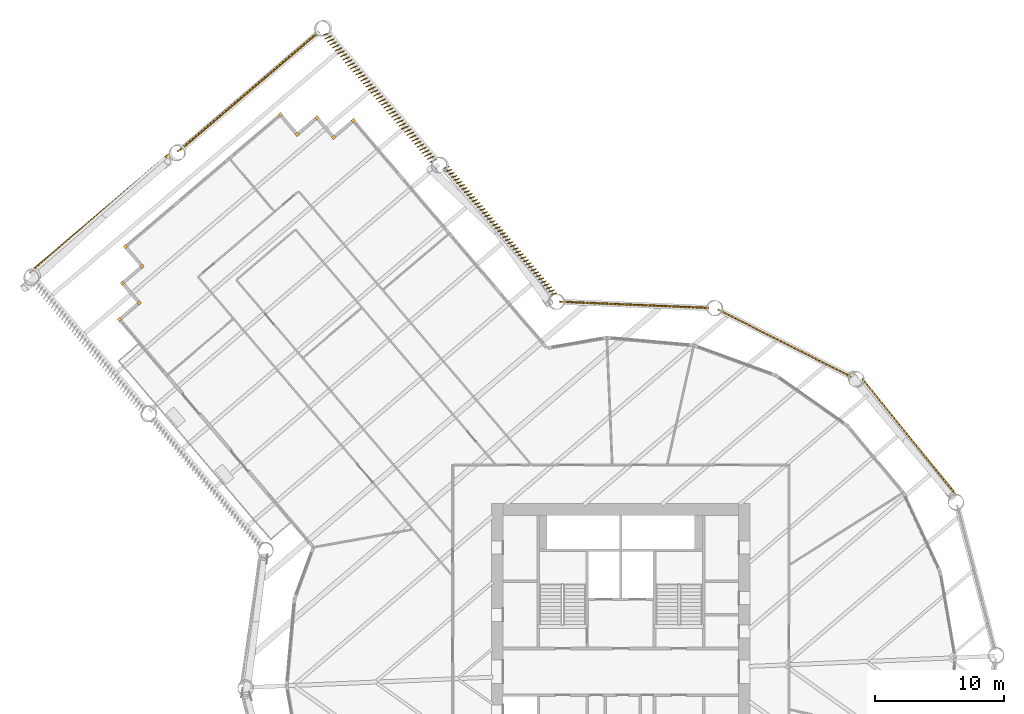
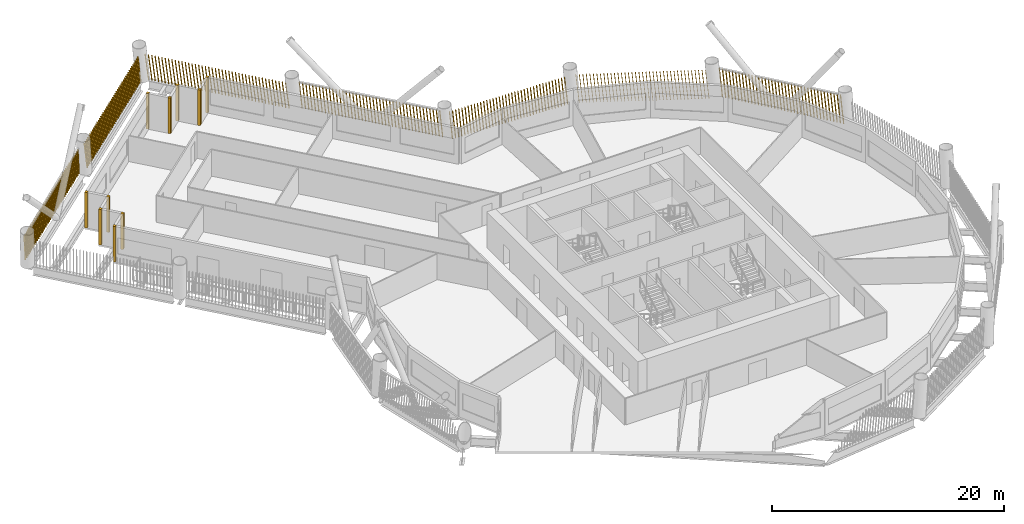
# One storey, part 20 of 21: 17 shading devices.
"""IFC4 building model written with IfcOpenShell, lengths in metres."""

from ifc_helpers import new_model, si_unit, direction, frame, frame_2d, origin, origin_2d, place, context, subcontext, project, spatial, rectangle, composite_profile, extrude, material, type_object, element, save


model = new_model("IFC4")

# Units and contexts
model_context = context("Model", 3, precision=1e-05, world=origin(), true_north=direction((0.0, 1.0)))
body_context = subcontext(model_context, "Body", "Model", "MODEL_VIEW")
ifc_project = project(units=[si_unit("LENGTHUNIT", "METRE"), si_unit("AREAUNIT", "SQUARE_METRE"), si_unit("VOLUMEUNIT", "CUBIC_METRE"), si_unit("PLANEANGLEUNIT", "RADIAN"), si_unit("MASSUNIT", "GRAM", prefix="KILO")], contexts=[model_context])

# Site, building, storey
site_placement = place(None, origin())
site = spatial("IfcSite", under=ifc_project, at=site_placement, CompositionType="ELEMENT")
building_placement = place(site_placement, origin())
building = spatial("IfcBuilding", under=site, at=building_placement, Name="Tarsis Ring Headquarters", CompositionType="ELEMENT")
storey_placement = place(building_placement, frame((0.0, 0.0, 47.800048828125)))
storey = spatial("IfcBuildingStorey", under=building, at=storey_placement, Name="L09", CompositionType="ELEMENT", Elevation=47.800048828125)

# Shading devices
ifc_material = material(Name="Terracotta baguette", Category="masonry")
shading_device_type_1 = type_object("IfcShadingDeviceType", Name="Terracotta baguette screen", PredefinedType="USERDEFINED", material=ifc_material)
shading_device_1_placement = place(storey_placement, frame((25.919189453125, 13.69580078125, 0.0), z_axis=(0.0, 0.0, 1.0), x_axis=(-0.628149755833, 0.778100922409, 0.0)))
element("IfcShadingDevice", 1, at=shading_device_1_placement, inside=storey, type_object=shading_device_type_1, Name="Baguette screen L09-12", ObjectType="Terracotta baguette screen", PredefinedType="USERDEFINED", context=body_context, shape_type="SweptSolid", body=[
    extrude(composite_profile([rectangle(XDim=0.06005859375, YDim=0.1201171875, at=frame_2d((0.030029296875, 0.0))), rectangle(XDim=0.06005859375, YDim=0.1201171875, at=frame_2d((0.33251953125, 0.0))), rectangle(XDim=0.06005859375, YDim=0.1201171875, at=frame_2d((0.634765625, 0.0))), rectangle(XDim=0.06005859375, YDim=0.1201171875, at=frame_2d((0.937255859375, 0.0))), rectangle(XDim=0.06005859375, YDim=0.1201171875, at=frame_2d((1.239501953125, 0.0))), rectangle(XDim=0.06005859375, YDim=0.1201171875, at=frame_2d((1.5419921875, 0.0))), rectangle(XDim=0.06005859375, YDim=0.1201171875, at=frame_2d((1.844482421875, 0.0))), rectangle(XDim=0.06005859375, YDim=0.1201171875, at=frame_2d((2.146728515625, 0.0))), rectangle(XDim=0.06005859375, YDim=0.1201171875, at=frame_2d((2.44921875, 0.0))), rectangle(XDim=0.06005859375, YDim=0.1201171875, at=frame_2d((2.751708984375, 0.0))), rectangle(XDim=0.06005859375, YDim=0.1201171875, at=frame_2d((3.053955078125, 0.0))), rectangle(XDim=0.06005859375, YDim=0.1201171875, at=frame_2d((3.3564453125, 0.0))), rectangle(XDim=0.06005859375, YDim=0.1201171875, at=frame_2d((3.65869140625, 0.0))), rectangle(XDim=0.06005859375, YDim=0.1201171875, at=frame_2d((3.961181640625, 0.0))), rectangle(XDim=0.06005859375, YDim=0.1201171875, at=frame_2d((4.263671875, 0.0))), rectangle(XDim=0.06005859375, YDim=0.1201171875, at=frame_2d((4.56591796875, 0.0))), rectangle(XDim=0.06005859375, YDim=0.1201171875, at=frame_2d((4.868408203125, 0.0))), rectangle(XDim=0.06005859375, YDim=0.1201171875, at=frame_2d((5.1708984375, 0.0))), rectangle(XDim=0.06005859375, YDim=0.1201171875, at=frame_2d((5.47314453125, 0.0))), rectangle(XDim=0.06005859375, YDim=0.1201171875, at=frame_2d((5.775634765625, 0.0))), rectangle(XDim=0.06005859375, YDim=0.1201171875, at=frame_2d((6.077880859375, 0.0))), rectangle(XDim=0.06005859375, YDim=0.1201171875, at=frame_2d((6.38037109375, 0.0))), rectangle(XDim=0.06005859375, YDim=0.1201171875, at=frame_2d((6.682861328125, 0.0))), rectangle(XDim=0.06005859375, YDim=0.1201171875, at=frame_2d((6.985107421875, 0.0))), rectangle(XDim=0.06005859375, YDim=0.1201171875, at=frame_2d((7.28759765625, 0.0))), rectangle(XDim=0.06005859375, YDim=0.1201171875, at=frame_2d((7.590087890625, 0.0))), rectangle(XDim=0.06005859375, YDim=0.1201171875, at=frame_2d((7.892333984375, 0.0))), rectangle(XDim=0.06005859375, YDim=0.1201171875, at=frame_2d((8.19482421875, 0.0))), rectangle(XDim=0.06005859375, YDim=0.1201171875, at=frame_2d((8.4970703125, 0.0))), rectangle(XDim=0.06005859375, YDim=0.1201171875, at=frame_2d((8.799560546875, 0.0))), rectangle(XDim=0.06005859375, YDim=0.1201171875, at=frame_2d((9.10205078125, 0.0))), rectangle(XDim=0.06005859375, YDim=0.1201171875, at=frame_2d((9.404296875, 0.0))), rectangle(XDim=0.06005859375, YDim=0.1201171875, at=frame_2d((9.706787109375, 0.0))), rectangle(XDim=0.06005859375, YDim=0.1201171875, at=frame_2d((10.00927734375, 0.0))), rectangle(XDim=0.06005859375, YDim=0.1201171875, at=frame_2d((10.3115234375, 0.0))), rectangle(XDim=0.06005859375, YDim=0.1201171875, at=frame_2d((10.614013671875, 0.0))), rectangle(XDim=0.06005859375, YDim=0.1201171875, at=frame_2d((10.916259765625, 0.0))), rectangle(XDim=0.06005859375, YDim=0.1201171875, at=frame_2d((11.21875, 0.0)))]), origin(), (0.101510888032, 0.000532113986, 0.994834285932), 2.968017578125),
])
shading_device_2_placement = place(storey_placement, frame((17.80078125, 22.826904296875, 0.0), z_axis=(0.0, 0.0, 1.0), x_axis=(-0.893022246337, 0.450005425936, 0.0)))
element("IfcShadingDevice", 2, at=shading_device_2_placement, inside=storey, type_object=shading_device_type_1, Name="Baguette screen L09-13", ObjectType="Terracotta baguette screen", PredefinedType="USERDEFINED", context=body_context, shape_type="SweptSolid", body=[
    extrude(composite_profile([rectangle(XDim=0.06005859375, YDim=0.1201171875, at=frame_2d((0.030029296875, 0.0))), rectangle(XDim=0.06005859375, YDim=0.1201171875, at=frame_2d((0.33251953125, 0.0))), rectangle(XDim=0.06005859375, YDim=0.1201171875, at=frame_2d((0.634765625, 0.0))), rectangle(XDim=0.06005859375, YDim=0.1201171875, at=frame_2d((0.937255859375, 0.0))), rectangle(XDim=0.06005859375, YDim=0.1201171875, at=frame_2d((1.239501953125, 0.0))), rectangle(XDim=0.06005859375, YDim=0.1201171875, at=frame_2d((1.5419921875, 0.0))), rectangle(XDim=0.06005859375, YDim=0.1201171875, at=frame_2d((1.844482421875, 0.0))), rectangle(XDim=0.06005859375, YDim=0.1201171875, at=frame_2d((2.146728515625, 0.0))), rectangle(XDim=0.06005859375, YDim=0.1201171875, at=frame_2d((2.44921875, 0.0))), rectangle(XDim=0.06005859375, YDim=0.1201171875, at=frame_2d((2.751708984375, 0.0))), rectangle(XDim=0.06005859375, YDim=0.1201171875, at=frame_2d((3.053955078125, 0.0))), rectangle(XDim=0.06005859375, YDim=0.1201171875, at=frame_2d((3.3564453125, 0.0))), rectangle(XDim=0.06005859375, YDim=0.1201171875, at=frame_2d((3.65869140625, 0.0))), rectangle(XDim=0.06005859375, YDim=0.1201171875, at=frame_2d((3.961181640625, 0.0))), rectangle(XDim=0.06005859375, YDim=0.1201171875, at=frame_2d((4.263671875, 0.0))), rectangle(XDim=0.06005859375, YDim=0.1201171875, at=frame_2d((4.56591796875, 0.0))), rectangle(XDim=0.06005859375, YDim=0.1201171875, at=frame_2d((4.868408203125, 0.0))), rectangle(XDim=0.06005859375, YDim=0.1201171875, at=frame_2d((5.1708984375, 0.0))), rectangle(XDim=0.06005859375, YDim=0.1201171875, at=frame_2d((5.47314453125, 0.0))), rectangle(XDim=0.06005859375, YDim=0.1201171875, at=frame_2d((5.775634765625, 0.0))), rectangle(XDim=0.06005859375, YDim=0.1201171875, at=frame_2d((6.077880859375, 0.0))), rectangle(XDim=0.06005859375, YDim=0.1201171875, at=frame_2d((6.38037109375, 0.0))), rectangle(XDim=0.06005859375, YDim=0.1201171875, at=frame_2d((6.682861328125, 0.0))), rectangle(XDim=0.06005859375, YDim=0.1201171875, at=frame_2d((6.985107421875, 0.0))), rectangle(XDim=0.06005859375, YDim=0.1201171875, at=frame_2d((7.28759765625, 0.0))), rectangle(XDim=0.06005859375, YDim=0.1201171875, at=frame_2d((7.590087890625, 0.0))), rectangle(XDim=0.06005859375, YDim=0.1201171875, at=frame_2d((7.892333984375, 0.0))), rectangle(XDim=0.06005859375, YDim=0.1201171875, at=frame_2d((8.19482421875, 0.0))), rectangle(XDim=0.06005859375, YDim=0.1201171875, at=frame_2d((8.4970703125, 0.0))), rectangle(XDim=0.06005859375, YDim=0.1201171875, at=frame_2d((8.799560546875, 0.0))), rectangle(XDim=0.06005859375, YDim=0.1201171875, at=frame_2d((9.10205078125, 0.0))), rectangle(XDim=0.06005859375, YDim=0.1201171875, at=frame_2d((9.404296875, 0.0))), rectangle(XDim=0.06005859375, YDim=0.1201171875, at=frame_2d((9.706787109375, 0.0))), rectangle(XDim=0.06005859375, YDim=0.1201171875, at=frame_2d((10.00927734375, 0.0))), rectangle(XDim=0.06005859375, YDim=0.1201171875, at=frame_2d((10.3115234375, 0.0))), rectangle(XDim=0.06005859375, YDim=0.1201171875, at=frame_2d((10.614013671875, 0.0))), rectangle(XDim=0.06005859375, YDim=0.1201171875, at=frame_2d((10.916259765625, 0.0))), rectangle(XDim=0.06005859375, YDim=0.1201171875, at=frame_2d((11.21875, 0.0)))]), origin(), (0.100199973588, 0.000525353663, 0.99496718001), 2.967529296875),
])
shading_device_3_placement = place(storey_placement, frame((6.80908203125, 28.135009765625, 0.0), z_axis=(0.0, 0.0, 1.0), x_axis=(-0.999131831402, 0.04188913487, 0.0)))
element("IfcShadingDevice", 3, at=shading_device_3_placement, inside=storey, type_object=shading_device_type_1, Name="Baguette screen L09-14", ObjectType="Terracotta baguette screen", PredefinedType="USERDEFINED", context=body_context, shape_type="SweptSolid", body=[
    extrude(composite_profile([rectangle(XDim=0.06005859375, YDim=0.1201171875, at=frame_2d((0.030029296875, 0.0))), rectangle(XDim=0.06005859375, YDim=0.1201171875, at=frame_2d((0.33251953125, 0.0))), rectangle(XDim=0.06005859375, YDim=0.1201171875, at=frame_2d((0.634765625, 0.0))), rectangle(XDim=0.06005859375, YDim=0.1201171875, at=frame_2d((0.937255859375, 0.0))), rectangle(XDim=0.06005859375, YDim=0.1201171875, at=frame_2d((1.239501953125, 0.0))), rectangle(XDim=0.06005859375, YDim=0.1201171875, at=frame_2d((1.5419921875, 0.0))), rectangle(XDim=0.06005859375, YDim=0.1201171875, at=frame_2d((1.844482421875, 0.0))), rectangle(XDim=0.06005859375, YDim=0.1201171875, at=frame_2d((2.146728515625, 0.0))), rectangle(XDim=0.06005859375, YDim=0.1201171875, at=frame_2d((2.44921875, 0.0))), rectangle(XDim=0.06005859375, YDim=0.1201171875, at=frame_2d((2.751708984375, 0.0))), rectangle(XDim=0.06005859375, YDim=0.1201171875, at=frame_2d((3.053955078125, 0.0))), rectangle(XDim=0.06005859375, YDim=0.1201171875, at=frame_2d((3.3564453125, 0.0))), rectangle(XDim=0.06005859375, YDim=0.1201171875, at=frame_2d((3.65869140625, 0.0))), rectangle(XDim=0.06005859375, YDim=0.1201171875, at=frame_2d((3.961181640625, 0.0))), rectangle(XDim=0.06005859375, YDim=0.1201171875, at=frame_2d((4.263671875, 0.0))), rectangle(XDim=0.06005859375, YDim=0.1201171875, at=frame_2d((4.56591796875, 0.0))), rectangle(XDim=0.06005859375, YDim=0.1201171875, at=frame_2d((4.868408203125, 0.0))), rectangle(XDim=0.06005859375, YDim=0.1201171875, at=frame_2d((5.1708984375, 0.0))), rectangle(XDim=0.06005859375, YDim=0.1201171875, at=frame_2d((5.47314453125, 0.0))), rectangle(XDim=0.06005859375, YDim=0.1201171875, at=frame_2d((5.775634765625, 0.0))), rectangle(XDim=0.06005859375, YDim=0.1201171875, at=frame_2d((6.077880859375, 0.0))), rectangle(XDim=0.06005859375, YDim=0.1201171875, at=frame_2d((6.38037109375, 0.0))), rectangle(XDim=0.06005859375, YDim=0.1201171875, at=frame_2d((6.682861328125, 0.0))), rectangle(XDim=0.06005859375, YDim=0.1201171875, at=frame_2d((6.985107421875, 0.0))), rectangle(XDim=0.06005859375, YDim=0.1201171875, at=frame_2d((7.28759765625, 0.0))), rectangle(XDim=0.06005859375, YDim=0.1201171875, at=frame_2d((7.590087890625, 0.0))), rectangle(XDim=0.06005859375, YDim=0.1201171875, at=frame_2d((7.892333984375, 0.0))), rectangle(XDim=0.06005859375, YDim=0.1201171875, at=frame_2d((8.19482421875, 0.0))), rectangle(XDim=0.06005859375, YDim=0.1201171875, at=frame_2d((8.4970703125, 0.0))), rectangle(XDim=0.06005859375, YDim=0.1201171875, at=frame_2d((8.799560546875, 0.0))), rectangle(XDim=0.06005859375, YDim=0.1201171875, at=frame_2d((9.10205078125, 0.0))), rectangle(XDim=0.06005859375, YDim=0.1201171875, at=frame_2d((9.404296875, 0.0))), rectangle(XDim=0.06005859375, YDim=0.1201171875, at=frame_2d((9.706787109375, 0.0))), rectangle(XDim=0.06005859375, YDim=0.1201171875, at=frame_2d((10.00927734375, 0.0))), rectangle(XDim=0.06005859375, YDim=0.1201171875, at=frame_2d((10.3115234375, 0.0))), rectangle(XDim=0.06005859375, YDim=0.1201171875, at=frame_2d((10.614013671875, 0.0))), rectangle(XDim=0.06005859375, YDim=0.1201171875, at=frame_2d((10.916259765625, 0.0))), rectangle(XDim=0.06005859375, YDim=0.1201171875, at=frame_2d((11.21875, 0.0)))]), origin(), (0.100201342167, 0.000523685088, 0.994967043063), 2.967529296875),
])
shading_device_4_placement = place(storey_placement, frame((-4.9677734375, 29.2509765625, 0.0), z_axis=(0.0, 0.0, 1.0), x_axis=(-0.648122918559, 0.761542537087, 0.0)))
element("IfcShadingDevice", 4, at=shading_device_4_placement, inside=storey, type_object=shading_device_type_1, Name="Baguette screen L09-15", ObjectType="Terracotta baguette screen", PredefinedType="USERDEFINED", context=body_context, shape_type="SweptSolid", body=[
    extrude(composite_profile([rectangle(XDim=0.06005859375, YDim=0.1201171875, at=frame_2d((0.030029296875, 0.0))), rectangle(XDim=0.06005859375, YDim=0.1201171875, at=frame_2d((0.335693359375, 0.0))), rectangle(XDim=0.06005859375, YDim=0.1201171875, at=frame_2d((0.6416015625, 0.0))), rectangle(XDim=0.06005859375, YDim=0.1201171875, at=frame_2d((0.947265625, 0.0))), rectangle(XDim=0.06005859375, YDim=0.1201171875, at=frame_2d((1.253173828125, 0.0))), rectangle(XDim=0.06005859375, YDim=0.1201171875, at=frame_2d((1.558837890625, 0.0))), rectangle(XDim=0.06005859375, YDim=0.1201171875, at=frame_2d((1.864501953125, 0.0))), rectangle(XDim=0.06005859375, YDim=0.1201171875, at=frame_2d((2.17041015625, 0.0))), rectangle(XDim=0.06005859375, YDim=0.1201171875, at=frame_2d((2.47607421875, 0.0))), rectangle(XDim=0.06005859375, YDim=0.1201171875, at=frame_2d((2.781982421875, 0.0))), rectangle(XDim=0.06005859375, YDim=0.1201171875, at=frame_2d((3.087646484375, 0.0))), rectangle(XDim=0.06005859375, YDim=0.1201171875, at=frame_2d((3.393310546875, 0.0))), rectangle(XDim=0.06005859375, YDim=0.1201171875, at=frame_2d((3.69921875, 0.0))), rectangle(XDim=0.06005859375, YDim=0.1201171875, at=frame_2d((4.0048828125, 0.0))), rectangle(XDim=0.06005859375, YDim=0.1201171875, at=frame_2d((4.310791015625, 0.0))), rectangle(XDim=0.06005859375, YDim=0.1201171875, at=frame_2d((4.616455078125, 0.0))), rectangle(XDim=0.06005859375, YDim=0.1201171875, at=frame_2d((4.922119140625, 0.0))), rectangle(XDim=0.06005859375, YDim=0.1201171875, at=frame_2d((5.22802734375, 0.0))), rectangle(XDim=0.06005859375, YDim=0.1201171875, at=frame_2d((5.53369140625, 0.0))), rectangle(XDim=0.06005859375, YDim=0.1201171875, at=frame_2d((5.839599609375, 0.0))), rectangle(XDim=0.06005859375, YDim=0.1201171875, at=frame_2d((6.145263671875, 0.0))), rectangle(XDim=0.06005859375, YDim=0.1201171875, at=frame_2d((6.451171875, 0.0))), rectangle(XDim=0.06005859375, YDim=0.1201171875, at=frame_2d((6.7568359375, 0.0))), rectangle(XDim=0.06005859375, YDim=0.1201171875, at=frame_2d((7.0625, 0.0))), rectangle(XDim=0.06005859375, YDim=0.1201171875, at=frame_2d((7.368408203125, 0.0))), rectangle(XDim=0.06005859375, YDim=0.1201171875, at=frame_2d((7.674072265625, 0.0))), rectangle(XDim=0.06005859375, YDim=0.1201171875, at=frame_2d((7.97998046875, 0.0))), rectangle(XDim=0.06005859375, YDim=0.1201171875, at=frame_2d((8.28564453125, 0.0))), rectangle(XDim=0.06005859375, YDim=0.1201171875, at=frame_2d((8.59130859375, 0.0))), rectangle(XDim=0.06005859375, YDim=0.1201171875, at=frame_2d((8.897216796875, 0.0))), rectangle(XDim=0.06005859375, YDim=0.1201171875, at=frame_2d((9.202880859375, 0.0))), rectangle(XDim=0.06005859375, YDim=0.1201171875, at=frame_2d((9.5087890625, 0.0))), rectangle(XDim=0.06005859375, YDim=0.1201171875, at=frame_2d((9.814453125, 0.0))), rectangle(XDim=0.06005859375, YDim=0.1201171875, at=frame_2d((10.1201171875, 0.0))), rectangle(XDim=0.06005859375, YDim=0.1201171875, at=frame_2d((10.426025390625, 0.0))), rectangle(XDim=0.06005859375, YDim=0.1201171875, at=frame_2d((10.731689453125, 0.0))), rectangle(XDim=0.06005859375, YDim=0.1201171875, at=frame_2d((11.03759765625, 0.0))), rectangle(XDim=0.06005859375, YDim=0.1201171875, at=frame_2d((11.34326171875, 0.0))), rectangle(XDim=0.06005859375, YDim=0.1201171875, at=frame_2d((11.64892578125, 0.0))), rectangle(XDim=0.06005859375, YDim=0.1201171875, at=frame_2d((11.954833984375, 0.0))), rectangle(XDim=0.06005859375, YDim=0.1201171875, at=frame_2d((12.260498046875, 0.0))), rectangle(XDim=0.06005859375, YDim=0.1201171875, at=frame_2d((12.56640625, 0.0))), rectangle(XDim=0.06005859375, YDim=0.1201171875, at=frame_2d((12.8720703125, 0.0)))]), origin(), (0.052812647792, 0.112700548945, 0.992224475862), 2.975830078125),
])
shading_device_5_placement = place(storey_placement, frame((-14.263671875, 39.594970703125, 0.0), z_axis=(0.0, 0.0, 1.0), x_axis=(-0.648122918559, 0.761542537087, 0.0)))
element("IfcShadingDevice", 5, at=shading_device_5_placement, inside=storey, type_object=shading_device_type_1, Name="Baguette screen L09-16", ObjectType="Terracotta baguette screen", PredefinedType="USERDEFINED", context=body_context, shape_type="SweptSolid", body=[
    extrude(composite_profile([rectangle(XDim=0.06005859375, YDim=0.1201171875, at=frame_2d((0.030029296875, 0.0))), rectangle(XDim=0.06005859375, YDim=0.1201171875, at=frame_2d((0.335693359375, 0.0))), rectangle(XDim=0.06005859375, YDim=0.1201171875, at=frame_2d((0.6416015625, 0.0))), rectangle(XDim=0.06005859375, YDim=0.1201171875, at=frame_2d((0.947265625, 0.0))), rectangle(XDim=0.06005859375, YDim=0.1201171875, at=frame_2d((1.253173828125, 0.0))), rectangle(XDim=0.06005859375, YDim=0.1201171875, at=frame_2d((1.558837890625, 0.0))), rectangle(XDim=0.06005859375, YDim=0.1201171875, at=frame_2d((1.864501953125, 0.0))), rectangle(XDim=0.06005859375, YDim=0.1201171875, at=frame_2d((2.17041015625, 0.0))), rectangle(XDim=0.06005859375, YDim=0.1201171875, at=frame_2d((2.47607421875, 0.0))), rectangle(XDim=0.06005859375, YDim=0.1201171875, at=frame_2d((2.781982421875, 0.0))), rectangle(XDim=0.06005859375, YDim=0.1201171875, at=frame_2d((3.087646484375, 0.0))), rectangle(XDim=0.06005859375, YDim=0.1201171875, at=frame_2d((3.393310546875, 0.0))), rectangle(XDim=0.06005859375, YDim=0.1201171875, at=frame_2d((3.69921875, 0.0))), rectangle(XDim=0.06005859375, YDim=0.1201171875, at=frame_2d((4.0048828125, 0.0))), rectangle(XDim=0.06005859375, YDim=0.1201171875, at=frame_2d((4.310791015625, 0.0))), rectangle(XDim=0.06005859375, YDim=0.1201171875, at=frame_2d((4.616455078125, 0.0))), rectangle(XDim=0.06005859375, YDim=0.1201171875, at=frame_2d((4.922119140625, 0.0))), rectangle(XDim=0.06005859375, YDim=0.1201171875, at=frame_2d((5.22802734375, 0.0))), rectangle(XDim=0.06005859375, YDim=0.1201171875, at=frame_2d((5.53369140625, 0.0))), rectangle(XDim=0.06005859375, YDim=0.1201171875, at=frame_2d((5.839599609375, 0.0))), rectangle(XDim=0.06005859375, YDim=0.1201171875, at=frame_2d((6.145263671875, 0.0))), rectangle(XDim=0.06005859375, YDim=0.1201171875, at=frame_2d((6.451171875, 0.0))), rectangle(XDim=0.06005859375, YDim=0.1201171875, at=frame_2d((6.7568359375, 0.0))), rectangle(XDim=0.06005859375, YDim=0.1201171875, at=frame_2d((7.0625, 0.0))), rectangle(XDim=0.06005859375, YDim=0.1201171875, at=frame_2d((7.368408203125, 0.0))), rectangle(XDim=0.06005859375, YDim=0.1201171875, at=frame_2d((7.674072265625, 0.0))), rectangle(XDim=0.06005859375, YDim=0.1201171875, at=frame_2d((7.97998046875, 0.0))), rectangle(XDim=0.06005859375, YDim=0.1201171875, at=frame_2d((8.28564453125, 0.0))), rectangle(XDim=0.06005859375, YDim=0.1201171875, at=frame_2d((8.59130859375, 0.0))), rectangle(XDim=0.06005859375, YDim=0.1201171875, at=frame_2d((8.897216796875, 0.0))), rectangle(XDim=0.06005859375, YDim=0.1201171875, at=frame_2d((9.202880859375, 0.0))), rectangle(XDim=0.06005859375, YDim=0.1201171875, at=frame_2d((9.5087890625, 0.0))), rectangle(XDim=0.06005859375, YDim=0.1201171875, at=frame_2d((9.814453125, 0.0))), rectangle(XDim=0.06005859375, YDim=0.1201171875, at=frame_2d((10.1201171875, 0.0))), rectangle(XDim=0.06005859375, YDim=0.1201171875, at=frame_2d((10.426025390625, 0.0))), rectangle(XDim=0.06005859375, YDim=0.1201171875, at=frame_2d((10.731689453125, 0.0))), rectangle(XDim=0.06005859375, YDim=0.1201171875, at=frame_2d((11.03759765625, 0.0))), rectangle(XDim=0.06005859375, YDim=0.1201171875, at=frame_2d((11.34326171875, 0.0))), rectangle(XDim=0.06005859375, YDim=0.1201171875, at=frame_2d((11.64892578125, 0.0))), rectangle(XDim=0.06005859375, YDim=0.1201171875, at=frame_2d((11.954833984375, 0.0))), rectangle(XDim=0.06005859375, YDim=0.1201171875, at=frame_2d((12.260498046875, 0.0))), rectangle(XDim=0.06005859375, YDim=0.1201171875, at=frame_2d((12.56640625, 0.0))), rectangle(XDim=0.06005859375, YDim=0.1201171875, at=frame_2d((12.8720703125, 0.0)))]), origin(), (0.05090058096, 0.160555571075, 0.985713467218), 2.995361328125),
])
shading_device_6_placement = place(storey_placement, frame((-23.330810546875, 49.477294921875, 0.0), z_axis=(0.0, 0.0, 1.0), x_axis=(-0.761534923218, -0.648131767037, 0.0)))
element("IfcShadingDevice", 6, at=shading_device_6_placement, inside=storey, type_object=shading_device_type_1, Name="Baguette screen L09-17", ObjectType="Terracotta baguette screen", PredefinedType="USERDEFINED", context=body_context, shape_type="SweptSolid", body=[
    extrude(composite_profile([rectangle(XDim=0.06005859375, YDim=0.1201171875, at=frame_2d((0.030029296875, 0.0))), rectangle(XDim=0.06005859375, YDim=0.1201171875, at=frame_2d((0.33544921875, 0.0))), rectangle(XDim=0.06005859375, YDim=0.1201171875, at=frame_2d((0.640625, 0.0))), rectangle(XDim=0.06005859375, YDim=0.1201171875, at=frame_2d((0.946044921875, 0.0))), rectangle(XDim=0.06005859375, YDim=0.1201171875, at=frame_2d((1.25146484375, 0.0))), rectangle(XDim=0.06005859375, YDim=0.1201171875, at=frame_2d((1.556640625, 0.0))), rectangle(XDim=0.06005859375, YDim=0.1201171875, at=frame_2d((1.862060546875, 0.0))), rectangle(XDim=0.06005859375, YDim=0.1201171875, at=frame_2d((2.16748046875, 0.0))), rectangle(XDim=0.06005859375, YDim=0.1201171875, at=frame_2d((2.47265625, 0.0))), rectangle(XDim=0.06005859375, YDim=0.1201171875, at=frame_2d((2.778076171875, 0.0))), rectangle(XDim=0.06005859375, YDim=0.1201171875, at=frame_2d((3.08349609375, 0.0))), rectangle(XDim=0.06005859375, YDim=0.1201171875, at=frame_2d((3.388671875, 0.0))), rectangle(XDim=0.06005859375, YDim=0.1201171875, at=frame_2d((3.694091796875, 0.0))), rectangle(XDim=0.06005859375, YDim=0.1201171875, at=frame_2d((3.99951171875, 0.0))), rectangle(XDim=0.06005859375, YDim=0.1201171875, at=frame_2d((4.3046875, 0.0))), rectangle(XDim=0.06005859375, YDim=0.1201171875, at=frame_2d((4.610107421875, 0.0))), rectangle(XDim=0.06005859375, YDim=0.1201171875, at=frame_2d((4.91552734375, 0.0))), rectangle(XDim=0.06005859375, YDim=0.1201171875, at=frame_2d((5.220703125, 0.0))), rectangle(XDim=0.06005859375, YDim=0.1201171875, at=frame_2d((5.526123046875, 0.0))), rectangle(XDim=0.06005859375, YDim=0.1201171875, at=frame_2d((5.83154296875, 0.0))), rectangle(XDim=0.06005859375, YDim=0.1201171875, at=frame_2d((6.13671875, 0.0))), rectangle(XDim=0.06005859375, YDim=0.1201171875, at=frame_2d((6.442138671875, 0.0))), rectangle(XDim=0.06005859375, YDim=0.1201171875, at=frame_2d((6.74755859375, 0.0))), rectangle(XDim=0.06005859375, YDim=0.1201171875, at=frame_2d((7.052734375, 0.0))), rectangle(XDim=0.06005859375, YDim=0.1201171875, at=frame_2d((7.358154296875, 0.0))), rectangle(XDim=0.06005859375, YDim=0.1201171875, at=frame_2d((7.66357421875, 0.0))), rectangle(XDim=0.06005859375, YDim=0.1201171875, at=frame_2d((7.96875, 0.0))), rectangle(XDim=0.06005859375, YDim=0.1201171875, at=frame_2d((8.274169921875, 0.0))), rectangle(XDim=0.06005859375, YDim=0.1201171875, at=frame_2d((8.57958984375, 0.0))), rectangle(XDim=0.06005859375, YDim=0.1201171875, at=frame_2d((8.884765625, 0.0))), rectangle(XDim=0.06005859375, YDim=0.1201171875, at=frame_2d((9.190185546875, 0.0))), rectangle(XDim=0.06005859375, YDim=0.1201171875, at=frame_2d((9.49560546875, 0.0))), rectangle(XDim=0.06005859375, YDim=0.1201171875, at=frame_2d((9.80078125, 0.0))), rectangle(XDim=0.06005859375, YDim=0.1201171875, at=frame_2d((10.106201171875, 0.0))), rectangle(XDim=0.06005859375, YDim=0.1201171875, at=frame_2d((10.41162109375, 0.0))), rectangle(XDim=0.06005859375, YDim=0.1201171875, at=frame_2d((10.716796875, 0.0))), rectangle(XDim=0.06005859375, YDim=0.1201171875, at=frame_2d((11.022216796875, 0.0))), rectangle(XDim=0.06005859375, YDim=0.1201171875, at=frame_2d((11.32763671875, 0.0))), rectangle(XDim=0.06005859375, YDim=0.1201171875, at=frame_2d((11.6328125, 0.0))), rectangle(XDim=0.06005859375, YDim=0.1201171875, at=frame_2d((11.938232421875, 0.0))), rectangle(XDim=0.06005859375, YDim=0.1201171875, at=frame_2d((12.24365234375, 0.0))), rectangle(XDim=0.06005859375, YDim=0.1201171875, at=frame_2d((12.548828125, 0.0))), rectangle(XDim=0.06005859375, YDim=0.1201171875, at=frame_2d((12.854248046875, 0.0))), rectangle(XDim=0.06005859375, YDim=0.1201171875, at=frame_2d((13.15966796875, 0.0))), rectangle(XDim=0.06005859375, YDim=0.1201171875, at=frame_2d((13.46484375, 0.0))), rectangle(XDim=0.06005859375, YDim=0.1201171875, at=frame_2d((13.770263671875, 0.0)))]), origin(), (0.184134847929, -0.024826221835, 0.982587409083), 3.0048828125),
])
shading_device_7_placement = place(storey_placement, frame((-34.844482421875, 40.170654296875, 0.0), z_axis=(0.0, 0.0, 1.0), x_axis=(-0.761552614818, -0.648114075437, 0.0)))
element("IfcShadingDevice", 7, at=shading_device_7_placement, inside=storey, type_object=shading_device_type_1, Name="Baguette screen L09-18", ObjectType="Terracotta baguette screen", PredefinedType="USERDEFINED", context=body_context, shape_type="SweptSolid", body=[
    extrude(composite_profile([rectangle(XDim=0.06005859375, YDim=0.1201171875, at=frame_2d((0.030029296875, 0.0))), rectangle(XDim=0.06005859375, YDim=0.1201171875, at=frame_2d((0.33544921875, 0.0))), rectangle(XDim=0.06005859375, YDim=0.1201171875, at=frame_2d((0.640625, 0.0))), rectangle(XDim=0.06005859375, YDim=0.1201171875, at=frame_2d((0.946044921875, 0.0))), rectangle(XDim=0.06005859375, YDim=0.1201171875, at=frame_2d((1.25146484375, 0.0))), rectangle(XDim=0.06005859375, YDim=0.1201171875, at=frame_2d((1.556640625, 0.0))), rectangle(XDim=0.06005859375, YDim=0.1201171875, at=frame_2d((1.862060546875, 0.0))), rectangle(XDim=0.06005859375, YDim=0.1201171875, at=frame_2d((2.16748046875, 0.0))), rectangle(XDim=0.06005859375, YDim=0.1201171875, at=frame_2d((2.47265625, 0.0))), rectangle(XDim=0.06005859375, YDim=0.1201171875, at=frame_2d((2.778076171875, 0.0))), rectangle(XDim=0.06005859375, YDim=0.1201171875, at=frame_2d((3.08349609375, 0.0))), rectangle(XDim=0.06005859375, YDim=0.1201171875, at=frame_2d((3.388671875, 0.0))), rectangle(XDim=0.06005859375, YDim=0.1201171875, at=frame_2d((3.694091796875, 0.0))), rectangle(XDim=0.06005859375, YDim=0.1201171875, at=frame_2d((3.99951171875, 0.0))), rectangle(XDim=0.06005859375, YDim=0.1201171875, at=frame_2d((4.3046875, 0.0))), rectangle(XDim=0.06005859375, YDim=0.1201171875, at=frame_2d((4.610107421875, 0.0))), rectangle(XDim=0.06005859375, YDim=0.1201171875, at=frame_2d((4.91552734375, 0.0))), rectangle(XDim=0.06005859375, YDim=0.1201171875, at=frame_2d((5.220703125, 0.0))), rectangle(XDim=0.06005859375, YDim=0.1201171875, at=frame_2d((5.526123046875, 0.0))), rectangle(XDim=0.06005859375, YDim=0.1201171875, at=frame_2d((5.83154296875, 0.0))), rectangle(XDim=0.06005859375, YDim=0.1201171875, at=frame_2d((6.13671875, 0.0))), rectangle(XDim=0.06005859375, YDim=0.1201171875, at=frame_2d((6.442138671875, 0.0))), rectangle(XDim=0.06005859375, YDim=0.1201171875, at=frame_2d((6.74755859375, 0.0))), rectangle(XDim=0.06005859375, YDim=0.1201171875, at=frame_2d((7.052734375, 0.0))), rectangle(XDim=0.06005859375, YDim=0.1201171875, at=frame_2d((7.358154296875, 0.0))), rectangle(XDim=0.06005859375, YDim=0.1201171875, at=frame_2d((7.66357421875, 0.0))), rectangle(XDim=0.06005859375, YDim=0.1201171875, at=frame_2d((7.96875, 0.0))), rectangle(XDim=0.06005859375, YDim=0.1201171875, at=frame_2d((8.274169921875, 0.0))), rectangle(XDim=0.06005859375, YDim=0.1201171875, at=frame_2d((8.57958984375, 0.0))), rectangle(XDim=0.06005859375, YDim=0.1201171875, at=frame_2d((8.884765625, 0.0))), rectangle(XDim=0.06005859375, YDim=0.1201171875, at=frame_2d((9.190185546875, 0.0))), rectangle(XDim=0.06005859375, YDim=0.1201171875, at=frame_2d((9.49560546875, 0.0))), rectangle(XDim=0.06005859375, YDim=0.1201171875, at=frame_2d((9.80078125, 0.0))), rectangle(XDim=0.06005859375, YDim=0.1201171875, at=frame_2d((10.106201171875, 0.0))), rectangle(XDim=0.06005859375, YDim=0.1201171875, at=frame_2d((10.41162109375, 0.0))), rectangle(XDim=0.06005859375, YDim=0.1201171875, at=frame_2d((10.716796875, 0.0))), rectangle(XDim=0.06005859375, YDim=0.1201171875, at=frame_2d((11.022216796875, 0.0))), rectangle(XDim=0.06005859375, YDim=0.1201171875, at=frame_2d((11.32763671875, 0.0))), rectangle(XDim=0.06005859375, YDim=0.1201171875, at=frame_2d((11.6328125, 0.0))), rectangle(XDim=0.06005859375, YDim=0.1201171875, at=frame_2d((11.938232421875, 0.0))), rectangle(XDim=0.06005859375, YDim=0.1201171875, at=frame_2d((12.24365234375, 0.0))), rectangle(XDim=0.06005859375, YDim=0.1201171875, at=frame_2d((12.548828125, 0.0))), rectangle(XDim=0.06005859375, YDim=0.1201171875, at=frame_2d((12.854248046875, 0.0))), rectangle(XDim=0.06005859375, YDim=0.1201171875, at=frame_2d((13.15966796875, 0.0))), rectangle(XDim=0.06005859375, YDim=0.1201171875, at=frame_2d((13.46484375, 0.0))), rectangle(XDim=0.06005859375, YDim=0.1201171875, at=frame_2d((13.770263671875, 0.0)))]), origin(), (0.185127031574, 0.026754385316, 0.982350337225), 3.005615234375),
])
shading_device_type_2 = type_object("IfcShadingDeviceType", Name="Terracotta corner baguette 250x250", PredefinedType="USERDEFINED", material=ifc_material)
for number, where, z_axis, x_axis, name in (
    (8, (-38.77587890625, 27.2392578125, 0.0), (0.0, 0.0, 1.0), (-0.761538341472, -0.648119861189, 0.0), "Corner baguette L09-01"),
    (9, (-20.689208984375, 42.632080078125, 0.0), (0.0, 0.0, 1.0), (-0.648119914354, 0.761538296225, 0.0), "Corner baguette L09-32"),
    (10, (-22.21240234375, 41.335693359375, 0.0), (0.0, 0.0, 1.0), (-0.761538126547, -0.648120113725, 0.0), "Corner baguette L09-33"),
    (11, (-23.508544921875, 42.85888671875, 0.0), (0.0, 0.0, 1.0), (-0.648119861189, 0.761538341472, 0.0), "Corner baguette L09-34"),
    (12, (-25.03173828125, 41.5625, 0.0), (0.0, 0.0, 1.0), (-0.761538341472, -0.648119861189, 0.0), "Corner baguette L09-35"),
    (13, (-26.327880859375, 43.085693359375, 0.0), (0.0, 0.0, 1.0), (-0.648120113725, 0.761538126547, 0.0), "Corner baguette L09-36"),
    (14, (-38.322021484375, 32.877685546875, 0.0), (0.0, 0.0, 1.0), (-0.761538318849, -0.648119887772, 0.0), "Corner baguette L09-37"),
    (15, (-37.02587890625, 31.354736328125, 0.0), (0.0, 0.0, 1.0), (0.648119861189, -0.761538341472, 0.0), "Corner baguette L09-38"),
    (16, (-38.548828125, 30.058349609375, 0.0), (0.0, 0.0, 1.0), (-0.761538126547, -0.648120113725, 0.0), "Corner baguette L09-39"),
    (17, (-37.252685546875, 28.535400390625, 0.0), (0.0, 0.0, 1.0), (0.648120113725, -0.761538126547, 0.0), "Corner baguette L09-40"),
):
    element("IfcShadingDevice", number, at=place(storey_placement, frame(where, z_axis=z_axis, x_axis=x_axis)), inside=storey, type_object=shading_device_type_2, Name=name, ObjectType="Terracotta corner baguette", PredefinedType="USERDEFINED", context=body_context, shape_type="SweptSolid", body=[
        extrude(rectangle(XDim=0.25, YDim=0.25, at=origin_2d()), origin(), (0.0, 0.0, 1.0), 3.739990234375),
    ])

save(model, "model.ifc")
